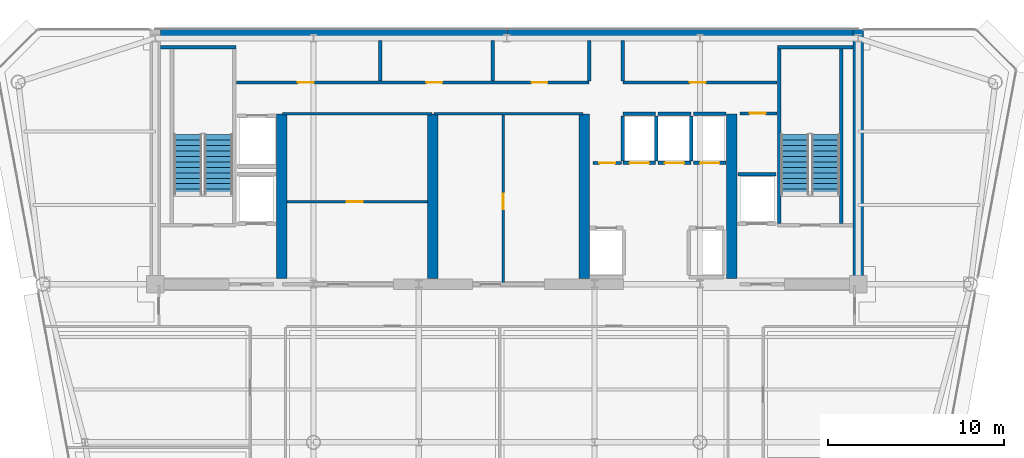
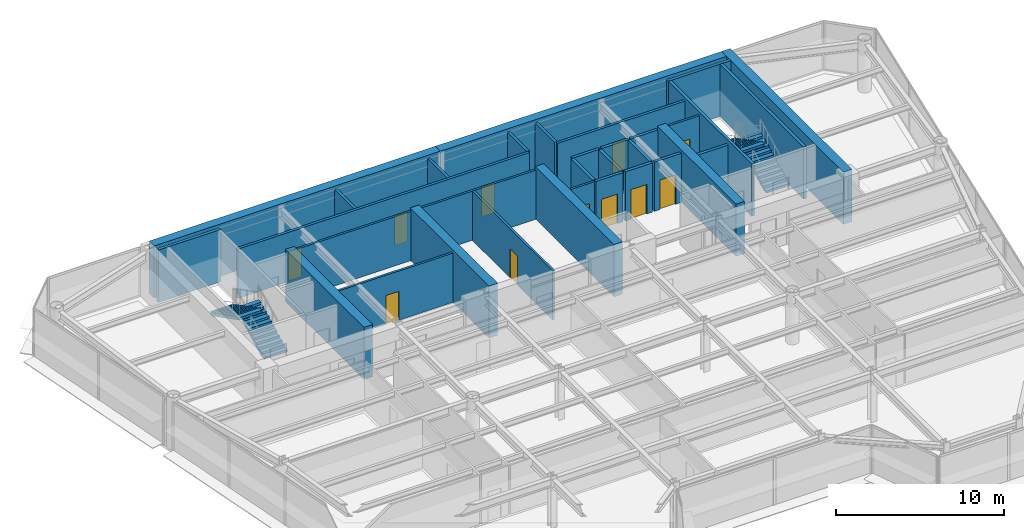
# One storey, part 12 of 16: 33 walls, 11 doors, 4 stair flights, 11 openings, 2 elements without a shape of their own.
"""IFC4 building model written with IfcOpenShell, lengths in metres."""

from ifc_helpers import new_model, si_unit, direction, frame, frame_2d, origin, place, context, subcontext, project, spatial, polyline, rectangle, outline, extrude, source, transform, mapped, material, layer, layer_set, type_object, element, fill, aggregate, save


model = new_model("IFC4")

# Units and contexts
model_context = context("Model", 3, precision=1e-05, world=origin(), true_north=direction((0.0, 1.0)))
body_context = subcontext(model_context, "Body", "Model", "MODEL_VIEW")
ifc_project = project(units=[si_unit("LENGTHUNIT", "METRE"), si_unit("AREAUNIT", "SQUARE_METRE"), si_unit("VOLUMEUNIT", "CUBIC_METRE"), si_unit("PLANEANGLEUNIT", "RADIAN"), si_unit("MASSUNIT", "GRAM", prefix="KILO")], contexts=[model_context])

# Site, building, storey
site_placement = place(None, origin())
site = spatial("IfcSite", under=ifc_project, at=site_placement, CompositionType="ELEMENT")
building_placement = place(site_placement, origin())
building = spatial("IfcBuilding", under=site, at=building_placement, Name="Vaeldorn Concourse Tower", CompositionType="ELEMENT")
storey_placement = place(building_placement, frame((0.0, 0.0, 210.800048828125)))
storey = spatial("IfcBuildingStorey", under=building, at=storey_placement, Name="L54", CompositionType="ELEMENT", Elevation=210.800048828125)

# Walls
ifc_material_1 = material(Name="Concrete C50/60", Category="concrete")
ifc_layer_1 = layer(ifc_material_1, 0.60009765625)
ifc_layer_set_1 = layer_set([ifc_layer_1], Name="Concrete C50/60")
wall_type_1 = type_object("IfcWallType", Name="WL-CORE-600", PredefinedType="SHEAR", material=ifc_layer_set_1)
for number, where, z_axis, x_axis, name in (
    (1, (14.303955078125, 50.699951171875, 0.0), (0.0, 0.0, 1.0), (1.0, 0.0, 0.0), "Rear Core Shear Wall L54 N1"),
    (2, (34.001953125, 50.699951171875, 0.0), (0.0, 0.0, 1.0), (1.0, 0.0, 0.0), "Rear Core Shear Wall L54 N2"),
):
    element("IfcWall", number, at=place(storey_placement, frame(where, z_axis=z_axis, x_axis=x_axis)), inside=storey, type_object=wall_type_1, Name=name, PredefinedType="SHEAR", context=body_context, shape_type="SweptSolid", body=[
        extrude(rectangle(XDim=19.694091796875, YDim=0.60009765625, at=frame_2d((9.84716796875, 0.0))), origin(), (0.0, 0.0, 1.0), 3.800048828125),
    ])
wall_1_placement = place(storey_placement, frame((54.0, 36.5, 0.0), z_axis=(0.0, 0.0, 1.0), x_axis=(0.0, 1.0, 0.0)))
element("IfcWall", 3, at=wall_1_placement, inside=storey, type_object=wall_type_1, Name="Rear Core Shear Wall L54 E1", PredefinedType="SHEAR", context=body_context, shape_type="SweptSolid", body=[
    extrude(rectangle(XDim=14.5, YDim=0.60009765625, at=frame_2d((7.25, 0.0))), origin(), (0.0, 0.0, 1.0), 3.800048828125),
])
for number, where, z_axis, x_axis, name in (
    (4, (21.199951171875, 36.820068359375, 0.0), (0.0, 0.0, 1.0), (0.0, 1.0, 0.0), "Rear Core Shear Wall L54 M1"),
    (5, (29.800048828125, 36.820068359375, 0.0), (0.0, 0.0, 1.0), (0.0, 1.0, 0.0), "Rear Core Shear Wall L54 M2"),
    (6, (38.39990234375, 36.820068359375, 0.0), (0.0, 0.0, 1.0), (0.0, 1.0, 0.0), "Rear Core Shear Wall L54 M3"),
    (7, (46.800048828125, 36.820068359375, 0.0), (0.0, 0.0, 1.0), (0.0, 1.0, 0.0), "Rear Core Shear Wall L54 M4"),
):
    element("IfcWall", number, at=place(storey_placement, frame(where, z_axis=z_axis, x_axis=x_axis)), inside=storey, type_object=wall_type_1, Name=name, PredefinedType="SHEAR", context=body_context, shape_type="SweptSolid", body=[
        extrude(rectangle(XDim=9.3798828125, YDim=0.60009765625, at=frame_2d((4.68994140625, 0.0))), origin(), (0.0, 0.0, 1.0), 3.800048828125),
    ])
ifc_material_2 = material(Name="Gypsum Board Partition", Category="gypsum")
ifc_layer_2 = layer(ifc_material_2, 0.14990234375)
ifc_layer_set_2 = layer_set([ifc_layer_2], Name="Gypsum Board Partition")
wall_type_2 = type_object("IfcWallType", Name="WL-PART-150", PredefinedType="PARTITIONING", material=ifc_layer_set_2)
wall_2_placement = place(storey_placement, frame((21.25, 46.199951171875, 0.0), z_axis=(0.0, 0.0, 1.0), x_axis=(1.0, 0.0, 0.0)))
element("IfcWall", 8, at=wall_2_placement, inside=storey, type_object=wall_type_2, Name="Interior Wall CW-L54-R1N", PredefinedType="PARTITIONING", context=body_context, shape_type="SweptSolid", body=[
    extrude(rectangle(XDim=8.5, YDim=0.14990234375, at=frame_2d((4.25, 0.0))), origin(), (0.0, 0.0, 1.0), 3.579833984375),
])

# Wall, opening, door
wall_3_placement = place(storey_placement, frame((21.5, 41.199951171875, 0.0), z_axis=(0.0, 0.0, 1.0), x_axis=(1.0, 0.0, 0.0)))
wall_3 = element("IfcWall", 9, at=wall_3_placement, inside=storey, type_object=wall_type_2, Name="Interior Wall CW-L54-R1M", PredefinedType="PARTITIONING", context=body_context, shape_type="SweptSolid", body=[
    extrude(rectangle(XDim=8.0, YDim=0.14990234375, at=frame_2d((4.0, 0.0))), origin(), (0.0, 0.0, 1.0), 3.579833984375),
])
opening_1_placement = place(wall_3_placement, frame((3.39990234375, 0.0, 0.0)))
opening_1 = element("IfcOpeningElement", 10, at=opening_1_placement, cuts=wall_3, Name="Opening D-02", PredefinedType="OPENING", context=body_context, shape_type="SweptSolid", body=[
    extrude(rectangle(XDim=0.89990234375, YDim=2.10009765625, at=frame_2d((0.449951171875, 1.050048828125))), frame((0.0, 0.0849609375, 0.0), z_axis=(0.0, -1.0, 0.0), x_axis=(1.0, 0.0, 0.0)), (0.0, 0.0, 1.0), 0.169921875),
])
ifc_material_3 = material(Name="Fire-Rated Timber Leaf", Category="wood")
door_type_1 = type_object("IfcDoorType", Name="DR-FD30-900", OperationType="NOTDEFINED", PredefinedType="DOOR", material=ifc_material_3)
shared_shape_1 = source(origin(), body_context, "Body", "SweptSolid", [
    extrude(rectangle(XDim=0.89990234375, YDim=2.10009765625, at=frame_2d((0.449951171875, 1.050048828125))), frame((0.0, 0.02490234375, 0.0), z_axis=(0.0, -1.0, 0.0), x_axis=(1.0, 0.0, 0.0)), (0.0, 0.0, 1.0), 0.050048828125),
])
door_1_placement = place(opening_1_placement, origin())
door_1 = element("IfcDoor", 11, at=door_1_placement, inside=storey, type_object=door_type_1, Name="Interior Door DR-L54-R1M", OperationType="SINGLE_SWING_RIGHT", OverallHeight=2.10009765625, OverallWidth=0.89990234375, PredefinedType="DOOR", context=body_context, shape_type="MappedRepresentation", body=[
    mapped(shared_shape_1, transform((0.0, 0.0, 0.0), scale=1.0)),
])
fill(opening_1, door_1)

# Wall
wall_4_placement = place(storey_placement, frame((29.85009765625, 46.199951171875, 0.0), z_axis=(0.0, 0.0, 1.0), x_axis=(1.0, 0.0, 0.0)))
element("IfcWall", 12, at=wall_4_placement, inside=storey, type_object=wall_type_2, Name="Interior Wall CW-L54-R2N", PredefinedType="PARTITIONING", context=body_context, shape_type="SweptSolid", body=[
    extrude(rectangle(XDim=8.5, YDim=0.14990234375, at=frame_2d((4.25, 0.0))), origin(), (0.0, 0.0, 1.0), 3.579833984375),
])

# Wall, opening, door
wall_5_placement = place(storey_placement, frame((33.800048828125, 36.56005859375, 0.0), z_axis=(0.0, 0.0, 1.0), x_axis=(0.0, 1.0, 0.0)))
wall_5 = element("IfcWall", 13, at=wall_5_placement, inside=storey, type_object=wall_type_2, Name="Interior Wall CW-L54-R2M", PredefinedType="PARTITIONING", context=body_context, shape_type="SweptSolid", body=[
    extrude(rectangle(XDim=9.579833984375, YDim=0.14990234375, at=frame_2d((4.7900390625, 0.0))), origin(), (0.0, 0.0, 1.0), 3.579833984375),
])
opening_2_placement = place(wall_5_placement, frame((4.199951171875, 0.0, 0.0)))
opening_2 = element("IfcOpeningElement", 14, at=opening_2_placement, cuts=wall_5, Name="Opening D-02", PredefinedType="OPENING", context=body_context, shape_type="SweptSolid", body=[
    extrude(rectangle(XDim=0.89990234375, YDim=2.10009765625, at=frame_2d((0.449951171875, 1.050048828125))), frame((0.0, 0.0849609375, 0.0), z_axis=(0.0, -1.0, 0.0), x_axis=(1.0, 0.0, 0.0)), (0.0, 0.0, 1.0), 0.169921875),
])
door_2_placement = place(opening_2_placement, origin())
door_2 = element("IfcDoor", 15, at=door_2_placement, inside=storey, type_object=door_type_1, Name="Interior Door DR-L54-R2E", OperationType="SINGLE_SWING_RIGHT", OverallHeight=2.10009765625, OverallWidth=0.89990234375, PredefinedType="DOOR", context=body_context, shape_type="MappedRepresentation", body=[
    mapped(shared_shape_1, transform((0.0, 0.0, 0.0), scale=1.0)),
])
fill(opening_2, door_2)

wall_6_placement = place(storey_placement, frame((47.280029296875, 46.219970703125, 0.0), z_axis=(0.0, 0.0, 1.0), x_axis=(1.0, 0.0, 0.0)))
wall_6 = element("IfcWall", 16, at=wall_6_placement, inside=storey, type_object=wall_type_2, Name="Interior Wall CW-L54-CRSE-N", PredefinedType="PARTITIONING", context=body_context, shape_type="SweptSolid", body=[
    extrude(rectangle(XDim=2.099853515625, YDim=0.14990234375, at=frame_2d((1.0498046875, 0.0))), origin(), (0.0, 0.0, 1.0), 3.579833984375),
])
opening_3_placement = place(wall_6_placement, frame((0.550048828125, 0.0, 0.0)))
opening_3 = element("IfcOpeningElement", 17, at=opening_3_placement, cuts=wall_6, Name="Opening D-02", PredefinedType="OPENING", context=body_context, shape_type="SweptSolid", body=[
    extrude(rectangle(XDim=0.89990234375, YDim=2.10009765625, at=frame_2d((0.449951171875, 1.050048828125))), frame((0.0, 0.0849609375, 0.0), z_axis=(0.0, -1.0, 0.0), x_axis=(1.0, 0.0, 0.0)), (0.0, 0.0, 1.0), 0.169921875),
])
door_3_placement = place(opening_3_placement, origin())
door_3 = element("IfcDoor", 18, at=door_3_placement, inside=storey, type_object=door_type_1, Name="Interior Door DR-L54-CRSE", OperationType="SINGLE_SWING_RIGHT", OverallHeight=2.10009765625, OverallWidth=0.89990234375, PredefinedType="DOOR", context=body_context, shape_type="MappedRepresentation", body=[
    mapped(shared_shape_1, transform((0.0, 0.0, 0.0), scale=1.0)),
])
fill(opening_3, door_3)

wall_7_placement = place(storey_placement, frame((38.919921875, 43.39990234375, 0.0), z_axis=(0.0, 0.0, 1.0), x_axis=(1.0, 0.0, 0.0)))
wall_7 = element("IfcWall", 19, at=wall_7_placement, inside=storey, type_object=wall_type_2, Name="Interior Wall CW-L54-CCLINK", PredefinedType="PARTITIONING", context=body_context, shape_type="SweptSolid", body=[
    extrude(rectangle(XDim=1.60009765625, YDim=0.14990234375, at=frame_2d((0.800048828125, 0.0))), origin(), (0.0, 0.0, 1.0), 3.579833984375),
])
opening_4_placement = place(wall_7_placement, frame((0.35009765625, 0.0, 0.0)))
opening_4 = element("IfcOpeningElement", 20, at=opening_4_placement, cuts=wall_7, Name="Opening D-02", PredefinedType="OPENING", context=body_context, shape_type="SweptSolid", body=[
    extrude(rectangle(XDim=0.89990234375, YDim=2.10009765625, at=frame_2d((0.449951171875, 1.050048828125))), frame((0.0, 0.0849609375, 0.0), z_axis=(0.0, -1.0, 0.0), x_axis=(1.0, 0.0, 0.0)), (0.0, 0.0, 1.0), 0.169921875),
])
door_4_placement = place(opening_4_placement, origin())
door_4 = element("IfcDoor", 21, at=door_4_placement, inside=storey, type_object=door_type_1, Name="Interior Door DR-L54-CCLINK", OperationType="SINGLE_SWING_LEFT", OverallHeight=2.10009765625, OverallWidth=0.89990234375, PredefinedType="DOOR", context=body_context, shape_type="MappedRepresentation", body=[
    mapped(shared_shape_1, transform((0.0, 0.0, 0.0), scale=1.0)),
])
fill(opening_4, door_4)

# Wall, openings, doors
ifc_layer_3 = layer(ifc_material_2, 0.179931640625)
ifc_layer_set_3 = layer_set([ifc_layer_3], Name="Gypsum Board Partition")
wall_type_3 = type_object("IfcWallType", Name="WL-PLUMB-180", PredefinedType="PLUMBINGWALL", material=ifc_layer_set_3)
wall_8_placement = place(storey_placement, frame((18.6201171875, 47.97998046875, 0.0), z_axis=(0.0, 0.0, 1.0), x_axis=(1.0, 0.0, 0.0)))
wall_8 = element("IfcWall", 22, at=wall_8_placement, inside=storey, type_object=wall_type_3, Name="Interior Wall CW-L54-NS1W", PredefinedType="PLUMBINGWALL", context=body_context, shape_type="SweptSolid", body=[
    extrude(rectangle(XDim=20.059814453125, YDim=0.179931640625, at=frame_2d((10.02978515625, 0.0))), origin(), (0.0, 0.0, 1.0), 3.579833984375),
])
opening_5_placement = place(wall_8_placement, frame((3.5, 0.0, 0.0)))
opening_5 = element("IfcOpeningElement", 23, at=opening_5_placement, cuts=wall_8, Name="Opening D-03", PredefinedType="OPENING", context=body_context, shape_type="SweptSolid", body=[
    extrude(rectangle(XDim=0.89990234375, YDim=2.14990234375, at=frame_2d((0.449951171875, 1.074951171875))), frame((0.0, 0.10009765625, 0.0), z_axis=(0.0, -1.0, 0.0), x_axis=(1.0, 0.0, 0.0)), (0.0, 0.0, 1.0), 0.199951171875),
])
opening_6_placement = place(wall_8_placement, frame((10.800048828125, 0.0, 0.0)))
opening_6 = element("IfcOpeningElement", 24, at=opening_6_placement, cuts=wall_8, Name="Opening D-03", PredefinedType="OPENING", context=body_context, shape_type="SweptSolid", body=[
    extrude(rectangle(XDim=0.89990234375, YDim=2.14990234375, at=frame_2d((0.449951171875, 1.074951171875))), frame((0.0, 0.10009765625, 0.0), z_axis=(0.0, -1.0, 0.0), x_axis=(1.0, 0.0, 0.0)), (0.0, 0.0, 1.0), 0.199951171875),
])
opening_7_placement = place(wall_8_placement, frame((16.800048828125, 0.0, 0.0)))
opening_7 = element("IfcOpeningElement", 25, at=opening_7_placement, cuts=wall_8, Name="Opening D-03", PredefinedType="OPENING", context=body_context, shape_type="SweptSolid", body=[
    extrude(rectangle(XDim=0.89990234375, YDim=2.14990234375, at=frame_2d((0.449951171875, 1.074951171875))), frame((0.0, 0.10009765625, 0.0), z_axis=(0.0, -1.0, 0.0), x_axis=(1.0, 0.0, 0.0)), (0.0, 0.0, 1.0), 0.199951171875),
])
ifc_material_4 = material(Name="Acoustic Bronze-Framed Glass Door", Category="glass")
door_type_2 = type_object("IfcDoorType", Name="DR-INT-900", OperationType="NOTDEFINED", PredefinedType="DOOR", material=ifc_material_4)
shared_shape_2 = source(origin(), body_context, "Body", "SweptSolid", [
    extrude(rectangle(XDim=0.89990234375, YDim=2.14990234375, at=frame_2d((0.449951171875, 1.074951171875))), frame((0.0, 0.02490234375, 0.0), z_axis=(0.0, -1.0, 0.0), x_axis=(1.0, 0.0, 0.0)), (0.0, 0.0, 1.0), 0.050048828125),
])
door_5_placement = place(opening_5_placement, origin())
door_5 = element("IfcDoor", 26, at=door_5_placement, inside=storey, type_object=door_type_2, Name="Interior Door DR-L54-CS1", OperationType="SINGLE_SWING_LEFT", OverallHeight=2.14990234375, OverallWidth=0.89990234375, PredefinedType="DOOR", context=body_context, shape_type="MappedRepresentation", body=[
    mapped(shared_shape_2, transform((0.0, 0.0, 0.0), scale=1.0)),
])
fill(opening_5, door_5)
door_6_placement = place(opening_6_placement, origin())
door_6 = element("IfcDoor", 27, at=door_6_placement, inside=storey, type_object=door_type_2, Name="Interior Door DR-L54-CS2", OperationType="SINGLE_SWING_RIGHT", OverallHeight=2.14990234375, OverallWidth=0.89990234375, PredefinedType="DOOR", context=body_context, shape_type="MappedRepresentation", body=[
    mapped(shared_shape_2, transform((0.0, 0.0, 0.0), scale=1.0)),
])
fill(opening_6, door_6)
door_7_placement = place(opening_7_placement, origin())
door_7 = element("IfcDoor", 28, at=door_7_placement, inside=storey, type_object=door_type_2, Name="Interior Door DR-L54-CS3", OperationType="SINGLE_SWING_LEFT", OverallHeight=2.14990234375, OverallWidth=0.89990234375, PredefinedType="DOOR", context=body_context, shape_type="MappedRepresentation", body=[
    mapped(shared_shape_2, transform((0.0, 0.0, 0.0), scale=1.0)),
])
fill(opening_7, door_7)

# Wall, opening, door
wall_9_placement = place(storey_placement, frame((40.6201171875, 47.97998046875, 0.0), z_axis=(0.0, 0.0, 1.0), x_axis=(1.0, 0.0, 0.0)))
wall_9 = element("IfcWall", 29, at=wall_9_placement, inside=storey, type_object=wall_type_3, Name="Interior Wall CW-L54-NS1E", PredefinedType="PLUMBINGWALL", context=body_context, shape_type="SweptSolid", body=[
    extrude(rectangle(XDim=8.759765625, YDim=0.179931640625, at=frame_2d((4.3798828125, 0.0))), origin(), (0.0, 0.0, 1.0), 3.579833984375),
])
opening_8_placement = place(wall_9_placement, frame((3.800048828125, 0.0, 0.0)))
opening_8 = element("IfcOpeningElement", 30, at=opening_8_placement, cuts=wall_9, Name="Opening D-03", PredefinedType="OPENING", context=body_context, shape_type="SweptSolid", body=[
    extrude(rectangle(XDim=0.89990234375, YDim=2.14990234375, at=frame_2d((0.449951171875, 1.074951171875))), frame((0.0, 0.10009765625, 0.0), z_axis=(0.0, -1.0, 0.0), x_axis=(1.0, 0.0, 0.0)), (0.0, 0.0, 1.0), 0.199951171875),
])
door_8_placement = place(opening_8_placement, origin())
door_8 = element("IfcDoor", 31, at=door_8_placement, inside=storey, type_object=door_type_2, Name="Interior Door DR-L54-CS4", OperationType="SINGLE_SWING_RIGHT", OverallHeight=2.14990234375, OverallWidth=0.89990234375, PredefinedType="DOOR", context=body_context, shape_type="MappedRepresentation", body=[
    mapped(shared_shape_2, transform((0.0, 0.0, 0.0), scale=1.0)),
])
fill(opening_8, door_8)

# Walls
for number, where, z_axis, x_axis, name in (
    (32, (26.800048828125, 48.06005859375, 0.0), (0.0, 0.0, 1.0), (0.0, 1.0, 0.0), "Interior Wall CW-L54-NDIV1"),
    (33, (33.199951171875, 48.06005859375, 0.0), (0.0, 0.0, 1.0), (0.0, 1.0, 0.0), "Interior Wall CW-L54-NDIV2"),
    (34, (38.699951171875, 48.06005859375, 0.0), (0.0, 0.0, 1.0), (0.0, 1.0, 0.0), "Interior Wall CW-L54-NDIV3"),
    (35, (40.60009765625, 48.06005859375, 0.0), (0.0, 0.0, 1.0), (0.0, 1.0, 0.0), "Interior Wall CW-L54-NDIV4"),
):
    element("IfcWall", number, at=place(storey_placement, frame(where, z_axis=z_axis, x_axis=x_axis)), inside=storey, type_object=wall_type_3, Name=name, PredefinedType="PLUMBINGWALL", context=body_context, shape_type="SweptSolid", body=[
        extrude(rectangle(XDim=2.31982421875, YDim=0.179931640625, at=frame_2d((1.159912109375, 0.0))), origin(), (0.0, 0.0, 1.0), 3.579833984375),
    ])
ifc_layer_4 = layer(ifc_material_1, 0.199951171875)
ifc_layer_set_4 = layer_set([ifc_layer_4], Name="Concrete C50/60")
wall_type_4 = type_object("IfcWallType", Name="WL-SHAFT-200", PredefinedType="SOLIDWALL", material=ifc_layer_set_4)
for number, where, z_axis, x_axis, name in (
    (36, (14.300048828125, 50.0, 0.0), (0.0, 0.0, 1.0), (1.0, 0.0, 0.0), "Stair Shaft Wall CW-L54-ST-1-N"),
    (37, (49.39990234375, 50.0, 0.0), (0.0, 0.0, 1.0), (1.0, 0.0, 0.0), "Stair Shaft Wall CW-L54-ST-2-N"),
):
    element("IfcWall", number, at=place(storey_placement, frame(where, z_axis=z_axis, x_axis=x_axis)), inside=storey, type_object=wall_type_4, Name=name, PredefinedType="SOLIDWALL", context=body_context, shape_type="SweptSolid", body=[
        extrude(rectangle(XDim=4.300048828125, YDim=0.199951171875, at=frame_2d((2.14990234375, 0.0))), origin(), (0.0, 0.0, 1.0), 3.800048828125),
    ])
for number, where, z_axis, x_axis, name in (
    (38, (49.5, 39.9599609375, 0.0), (0.0, 0.0, 1.0), (0.0, 1.0, 0.0), "Stair Shaft Wall CW-L54-ST-2-W"),
    (39, (53.050048828125, 39.9599609375, 0.0), (0.0, 0.0, 1.0), (0.0, 1.0, 0.0), "Stair Shaft Wall CW-L54-ST-2-E"),
):
    element("IfcWall", number, at=place(storey_placement, frame(where, z_axis=z_axis, x_axis=x_axis)), inside=storey, type_object=wall_type_4, Name=name, PredefinedType="SOLIDWALL", context=body_context, shape_type="SweptSolid", body=[
        extrude(rectangle(XDim=9.929931640625, YDim=0.199951171875, at=frame_2d((4.96484375, 0.0))), origin(), (0.0, 0.0, 1.0), 3.800048828125),
    ])

# Wall, opening, door
wall_10_placement = place(storey_placement, frame((40.6201171875, 43.39990234375, 0.0), z_axis=(0.0, 0.0, 1.0), x_axis=(1.0, 0.0, 0.0)))
wall_10 = element("IfcWall", 40, at=wall_10_placement, inside=storey, type_object=wall_type_4, Name="Interior Wall CW-L54-LF-LF-15", PredefinedType="SOLIDWALL", context=body_context, shape_type="SweptSolid", body=[
    extrude(rectangle(XDim=1.85986328125, YDim=0.199951171875, at=frame_2d((0.929931640625, 0.0))), origin(), (0.0, 0.0, 1.0), 3.579833984375),
])
opening_9_placement = place(wall_10_placement, frame((0.3798828125, 0.0, 0.0)))
opening_9 = element("IfcOpeningElement", 41, at=opening_9_placement, cuts=wall_10, Name="Opening LD-1", PredefinedType="OPENING", context=body_context, shape_type="SweptSolid", body=[
    extrude(rectangle(XDim=1.10009765625, YDim=2.14990234375, at=frame_2d((0.550048828125, 1.074951171875))), frame((0.0, 0.10986328125, 0.0), z_axis=(0.0, -1.0, 0.0), x_axis=(1.0, 0.0, 0.0)), (0.0, 0.0, 1.0), 0.219970703125),
])
ifc_material_5 = material(Name="Anodised Bronze Aluminium", Category="aluminium")
door_type_3 = type_object("IfcDoorType", Name="DR-LIFT-SLIDE-1100", OperationType="DOUBLE_DOOR_SLIDING", PredefinedType="DOOR", material=ifc_material_5)
shared_shape_3 = source(origin(), body_context, "Body", "SweptSolid", [
    extrude(rectangle(XDim=1.10009765625, YDim=2.14990234375, at=frame_2d((0.550048828125, 1.074951171875))), frame((0.0, 0.02490234375, 0.0), z_axis=(0.0, -1.0, 0.0), x_axis=(1.0, 0.0, 0.0)), (0.0, 0.0, 1.0), 0.050048828125),
])
door_9_placement = place(opening_9_placement, origin())
door_9 = element("IfcDoor", 42, at=door_9_placement, inside=storey, type_object=door_type_3, Name="Lift Landing Door LD-L54-LF-15", OperationType="DOUBLE_DOOR_SLIDING", OverallHeight=2.14990234375, OverallWidth=1.10009765625, PredefinedType="DOOR", context=body_context, shape_type="MappedRepresentation", body=[
    mapped(shared_shape_3, transform((0.0, 0.0, 0.0), scale=1.0)),
])
fill(opening_9, door_9)

# Walls
wall_11_placement = place(storey_placement, frame((40.6201171875, 46.199951171875, 0.0), z_axis=(0.0, 0.0, 1.0), x_axis=(1.0, 0.0, 0.0)))
element("IfcWall", 43, at=wall_11_placement, inside=storey, type_object=wall_type_4, Name="Interior Wall CW-L54-LFB-LF-15", PredefinedType="SOLIDWALL", context=body_context, shape_type="SweptSolid", body=[
    extrude(rectangle(XDim=1.85986328125, YDim=0.199951171875, at=frame_2d((0.929931640625, 0.0))), origin(), (0.0, 0.0, 1.0), 3.579833984375),
])
for number, where, z_axis, x_axis, name in (
    (44, (40.60009765625, 43.52001953125, 0.0), (0.0, 0.0, 1.0), (0.0, 1.0, 0.0), "Interior Wall CW-L54-LFW-LF-15"),
    (45, (42.5, 43.52001953125, 0.0), (0.0, 0.0, 1.0), (0.0, 1.0, 0.0), "Interior Wall CW-L54-LFE-LF-15"),
):
    element("IfcWall", number, at=place(storey_placement, frame(where, z_axis=z_axis, x_axis=x_axis)), inside=storey, type_object=wall_type_4, Name=name, PredefinedType="SOLIDWALL", context=body_context, shape_type="SweptSolid", body=[
        extrude(rectangle(XDim=2.56005859375, YDim=0.199951171875, at=frame_2d((1.280029296875, 0.0))), origin(), (0.0, 0.0, 1.0), 3.579833984375),
    ])

# Wall, opening, door
wall_12_placement = place(storey_placement, frame((42.6201171875, 43.39990234375, 0.0), z_axis=(0.0, 0.0, 1.0), x_axis=(1.0, 0.0, 0.0)))
wall_12 = element("IfcWall", 46, at=wall_12_placement, inside=storey, type_object=wall_type_4, Name="Interior Wall CW-L54-LF-LF-16", PredefinedType="SOLIDWALL", context=body_context, shape_type="SweptSolid", body=[
    extrude(rectangle(XDim=1.85986328125, YDim=0.199951171875, at=frame_2d((0.929931640625, 0.0))), origin(), (0.0, 0.0, 1.0), 3.579833984375),
])
opening_10_placement = place(wall_12_placement, frame((0.3798828125, 0.0, 0.0)))
opening_10 = element("IfcOpeningElement", 47, at=opening_10_placement, cuts=wall_12, Name="Opening LD-1", PredefinedType="OPENING", context=body_context, shape_type="SweptSolid", body=[
    extrude(rectangle(XDim=1.10009765625, YDim=2.14990234375, at=frame_2d((0.550048828125, 1.074951171875))), frame((0.0, 0.10986328125, 0.0), z_axis=(0.0, -1.0, 0.0), x_axis=(1.0, 0.0, 0.0)), (0.0, 0.0, 1.0), 0.219970703125),
])
door_10_placement = place(opening_10_placement, origin())
door_10 = element("IfcDoor", 48, at=door_10_placement, inside=storey, type_object=door_type_3, Name="Lift Landing Door LD-L54-LF-16", OperationType="DOUBLE_DOOR_SLIDING", OverallHeight=2.14990234375, OverallWidth=1.10009765625, PredefinedType="DOOR", context=body_context, shape_type="MappedRepresentation", body=[
    mapped(shared_shape_3, transform((0.0, 0.0, 0.0), scale=1.0)),
])
fill(opening_10, door_10)

# Walls
wall_13_placement = place(storey_placement, frame((42.6201171875, 46.199951171875, 0.0), z_axis=(0.0, 0.0, 1.0), x_axis=(1.0, 0.0, 0.0)))
element("IfcWall", 49, at=wall_13_placement, inside=storey, type_object=wall_type_4, Name="Interior Wall CW-L54-LFB-LF-16", PredefinedType="SOLIDWALL", context=body_context, shape_type="SweptSolid", body=[
    extrude(rectangle(XDim=1.85986328125, YDim=0.199951171875, at=frame_2d((0.929931640625, 0.0))), origin(), (0.0, 0.0, 1.0), 3.579833984375),
])
wall_14_placement = place(storey_placement, frame((44.5, 43.52001953125, 0.0), z_axis=(0.0, 0.0, 1.0), x_axis=(0.0, 1.0, 0.0)))
element("IfcWall", 50, at=wall_14_placement, inside=storey, type_object=wall_type_4, Name="Interior Wall CW-L54-LFE-LF-16", PredefinedType="SOLIDWALL", context=body_context, shape_type="SweptSolid", body=[
    extrude(rectangle(XDim=2.56005859375, YDim=0.199951171875, at=frame_2d((1.280029296875, 0.0))), origin(), (0.0, 0.0, 1.0), 3.579833984375),
])

# Wall, opening, door
wall_15_placement = place(storey_placement, frame((44.6201171875, 43.39990234375, 0.0), z_axis=(0.0, 0.0, 1.0), x_axis=(1.0, 0.0, 0.0)))
wall_15 = element("IfcWall", 51, at=wall_15_placement, inside=storey, type_object=wall_type_4, Name="Interior Wall CW-L54-LF-LF-17", PredefinedType="SOLIDWALL", context=body_context, shape_type="SweptSolid", body=[
    extrude(rectangle(XDim=1.85986328125, YDim=0.199951171875, at=frame_2d((0.929931640625, 0.0))), origin(), (0.0, 0.0, 1.0), 3.579833984375),
])
opening_11_placement = place(wall_15_placement, frame((0.3798828125, 0.0, 0.0)))
opening_11 = element("IfcOpeningElement", 52, at=opening_11_placement, cuts=wall_15, Name="Opening LD-1", PredefinedType="OPENING", context=body_context, shape_type="SweptSolid", body=[
    extrude(rectangle(XDim=1.10009765625, YDim=2.14990234375, at=frame_2d((0.550048828125, 1.074951171875))), frame((0.0, 0.10986328125, 0.0), z_axis=(0.0, -1.0, 0.0), x_axis=(1.0, 0.0, 0.0)), (0.0, 0.0, 1.0), 0.219970703125),
])
door_11_placement = place(opening_11_placement, origin())
door_11 = element("IfcDoor", 53, at=door_11_placement, inside=storey, type_object=door_type_3, Name="Lift Landing Door LD-L54-LF-17", OperationType="DOUBLE_DOOR_SLIDING", OverallHeight=2.14990234375, OverallWidth=1.10009765625, PredefinedType="DOOR", context=body_context, shape_type="MappedRepresentation", body=[
    mapped(shared_shape_3, transform((0.0, 0.0, 0.0), scale=1.0)),
])
fill(opening_11, door_11)

# Walls
wall_16_placement = place(storey_placement, frame((44.6201171875, 46.199951171875, 0.0), z_axis=(0.0, 0.0, 1.0), x_axis=(1.0, 0.0, 0.0)))
element("IfcWall", 54, at=wall_16_placement, inside=storey, type_object=wall_type_4, Name="Interior Wall CW-L54-LFB-LF-17", PredefinedType="SOLIDWALL", context=body_context, shape_type="SweptSolid", body=[
    extrude(rectangle(XDim=1.85986328125, YDim=0.199951171875, at=frame_2d((0.929931640625, 0.0))), origin(), (0.0, 0.0, 1.0), 3.579833984375),
])
wall_17_placement = place(storey_placement, frame((47.169921875, 42.75, 0.0), z_axis=(0.0, 0.0, 1.0), x_axis=(1.0, 0.0, 0.0)))
element("IfcWall", 55, at=wall_17_placement, inside=storey, type_object=wall_type_4, Name="Interior Wall CW-L54-LFB-LF-FF2", PredefinedType="SOLIDWALL", context=body_context, shape_type="SweptSolid", body=[
    extrude(rectangle(XDim=2.16015625, YDim=0.199951171875, at=frame_2d((1.080078125, 0.0))), origin(), (0.0, 0.0, 1.0), 3.579833984375),
])

# Stair, stair flights
ifc_material_6 = material(Name="Precast concrete C40/50", Category="concrete")
stair_type = type_object("IfcStairType", Name="STR-DOG-24x158", PredefinedType="HALF_TURN_STAIR", material=ifc_material_6)
stair_1_placement = place(storey_placement, origin())
stair_1 = element("IfcStair", 56, at=stair_1_placement, inside=storey, type_object=stair_type, Name="L54 West Core Exit Stair ST-1", PredefinedType="HALF_TURN_STAIR")
stair_flight_type = type_object("IfcStairFlightType", Name="STF-STR-12x158", PredefinedType="STRAIGHT", material=ifc_material_6)
stair_flight_1_placement = place(storey_placement, frame((17.60009765625, 41.60009765625, 0.0), z_axis=(0.0, 0.0, 1.0), x_axis=(0.0, 1.0, 0.0)))
stair_flight_1 = element("IfcStairFlight", 57, at=stair_flight_1_placement, type_object=stair_flight_type, Name="ST-1 flight 1", NumberOfRisers=12, NumberOfTreads=11, PredefinedType="STRAIGHT", RiserHeight=0.158333333, TreadLength=0.31, context=body_context, shape_type="SweptSolid", body=[
    extrude(outline(polyline([(0.0, 0.0), (0.0, 0.158447265625), (0.31005859375, 0.158447265625), (0.31005859375, 0.316650390625), (0.6201171875, 0.316650390625), (0.6201171875, 0.47509765625), (0.929931640625, 0.47509765625), (0.929931640625, 0.63330078125), (1.239990234375, 0.63330078125), (1.239990234375, 0.791748046875), (1.550048828125, 0.791748046875), (1.550048828125, 0.949951171875), (1.860107421875, 0.949951171875), (1.860107421875, 1.1083984375), (2.169921875, 1.1083984375), (2.169921875, 1.2666015625), (2.47998046875, 1.2666015625), (2.47998046875, 1.425048828125), (2.7900390625, 1.425048828125), (2.7900390625, 1.583251953125), (3.10009765625, 1.583251953125), (3.10009765625, 1.74169921875), (3.409912109375, 1.74169921875), (3.409912109375, 1.89990234375), (3.409912109375, 1.5732421875), (0.32958984375, 0.0), (0.0, 0.0)])), frame((0.0, 0.800048828125, 0.0), z_axis=(0.0, -1.0, 0.0), x_axis=(1.0, 0.0, 0.0)), (0.0, 0.0, 1.0), 1.60009765625),
])
stair_flight_2_placement = place(storey_placement, frame((15.85009765625, 45.010009765625, 1.89990234375), z_axis=(0.0, 0.0, 1.0), x_axis=(0.0, -1.0, 0.0)))
stair_flight_2 = element("IfcStairFlight", 58, at=stair_flight_2_placement, type_object=stair_flight_type, Name="ST-1 flight 2", NumberOfRisers=12, NumberOfTreads=11, PredefinedType="STRAIGHT", RiserHeight=0.158333333, TreadLength=0.31, context=body_context, shape_type="SweptSolid", body=[
    extrude(outline(polyline([(0.0, 0.0), (0.0, 0.158447265625), (0.31005859375, 0.158447265625), (0.31005859375, 0.316650390625), (0.6201171875, 0.316650390625), (0.6201171875, 0.47509765625), (0.929931640625, 0.47509765625), (0.929931640625, 0.63330078125), (1.239990234375, 0.63330078125), (1.239990234375, 0.791748046875), (1.550048828125, 0.791748046875), (1.550048828125, 0.949951171875), (1.860107421875, 0.949951171875), (1.860107421875, 1.1083984375), (2.169921875, 1.1083984375), (2.169921875, 1.2666015625), (2.47998046875, 1.2666015625), (2.47998046875, 1.425048828125), (2.7900390625, 1.425048828125), (2.7900390625, 1.583251953125), (3.10009765625, 1.583251953125), (3.10009765625, 1.74169921875), (3.409912109375, 1.74169921875), (3.409912109375, 1.89990234375), (3.409912109375, 1.5732421875), (0.32958984375, 0.0), (0.0, 0.0)])), frame((0.0, 0.800048828125, 0.0), z_axis=(0.0, -1.0, 0.0), x_axis=(1.0, 0.0, 0.0)), (0.0, 0.0, 1.0), 1.60009765625),
])
aggregate(stair_1, [stair_flight_1, stair_flight_2])

stair_2_placement = place(storey_placement, origin())
stair_2 = element("IfcStair", 59, at=stair_2_placement, inside=storey, type_object=stair_type, Name="L54 East Core Exit Stair ST-2", PredefinedType="HALF_TURN_STAIR")
stair_flight_3_placement = place(storey_placement, frame((52.14990234375, 41.60009765625, 0.0), z_axis=(0.0, 0.0, 1.0), x_axis=(0.0, 1.0, 0.0)))
stair_flight_3 = element("IfcStairFlight", 60, at=stair_flight_3_placement, type_object=stair_flight_type, Name="ST-2 flight 1", NumberOfRisers=12, NumberOfTreads=11, PredefinedType="STRAIGHT", RiserHeight=0.158333333, TreadLength=0.31, context=body_context, shape_type="SweptSolid", body=[
    extrude(outline(polyline([(0.0, 0.0), (0.0, 0.158447265625), (0.31005859375, 0.158447265625), (0.31005859375, 0.316650390625), (0.6201171875, 0.316650390625), (0.6201171875, 0.47509765625), (0.929931640625, 0.47509765625), (0.929931640625, 0.63330078125), (1.239990234375, 0.63330078125), (1.239990234375, 0.791748046875), (1.550048828125, 0.791748046875), (1.550048828125, 0.949951171875), (1.860107421875, 0.949951171875), (1.860107421875, 1.1083984375), (2.169921875, 1.1083984375), (2.169921875, 1.2666015625), (2.47998046875, 1.2666015625), (2.47998046875, 1.425048828125), (2.7900390625, 1.425048828125), (2.7900390625, 1.583251953125), (3.10009765625, 1.583251953125), (3.10009765625, 1.74169921875), (3.409912109375, 1.74169921875), (3.409912109375, 1.89990234375), (3.409912109375, 1.5732421875), (0.32958984375, 0.0), (0.0, 0.0)])), frame((0.0, 0.800048828125, 0.0), z_axis=(0.0, -1.0, 0.0), x_axis=(1.0, 0.0, 0.0)), (0.0, 0.0, 1.0), 1.60009765625),
])
stair_flight_4_placement = place(storey_placement, frame((50.39990234375, 45.010009765625, 1.89990234375), z_axis=(0.0, 0.0, 1.0), x_axis=(0.0, -1.0, 0.0)))
stair_flight_4 = element("IfcStairFlight", 61, at=stair_flight_4_placement, type_object=stair_flight_type, Name="ST-2 flight 2", NumberOfRisers=12, NumberOfTreads=11, PredefinedType="STRAIGHT", RiserHeight=0.158333333, TreadLength=0.31, context=body_context, shape_type="SweptSolid", body=[
    extrude(outline(polyline([(0.0, 0.0), (0.0, 0.158447265625), (0.31005859375, 0.158447265625), (0.31005859375, 0.316650390625), (0.6201171875, 0.316650390625), (0.6201171875, 0.47509765625), (0.929931640625, 0.47509765625), (0.929931640625, 0.63330078125), (1.239990234375, 0.63330078125), (1.239990234375, 0.791748046875), (1.550048828125, 0.791748046875), (1.550048828125, 0.949951171875), (1.860107421875, 0.949951171875), (1.860107421875, 1.1083984375), (2.169921875, 1.1083984375), (2.169921875, 1.2666015625), (2.47998046875, 1.2666015625), (2.47998046875, 1.425048828125), (2.7900390625, 1.425048828125), (2.7900390625, 1.583251953125), (3.10009765625, 1.583251953125), (3.10009765625, 1.74169921875), (3.409912109375, 1.74169921875), (3.409912109375, 1.89990234375), (3.409912109375, 1.5732421875), (0.32958984375, 0.0), (0.0, 0.0)])), frame((0.0, 0.800048828125, 0.0), z_axis=(0.0, -1.0, 0.0), x_axis=(1.0, 0.0, 0.0)), (0.0, 0.0, 1.0), 1.60009765625),
])
aggregate(stair_2, [stair_flight_3, stair_flight_4])

save(model, "model.ifc")
